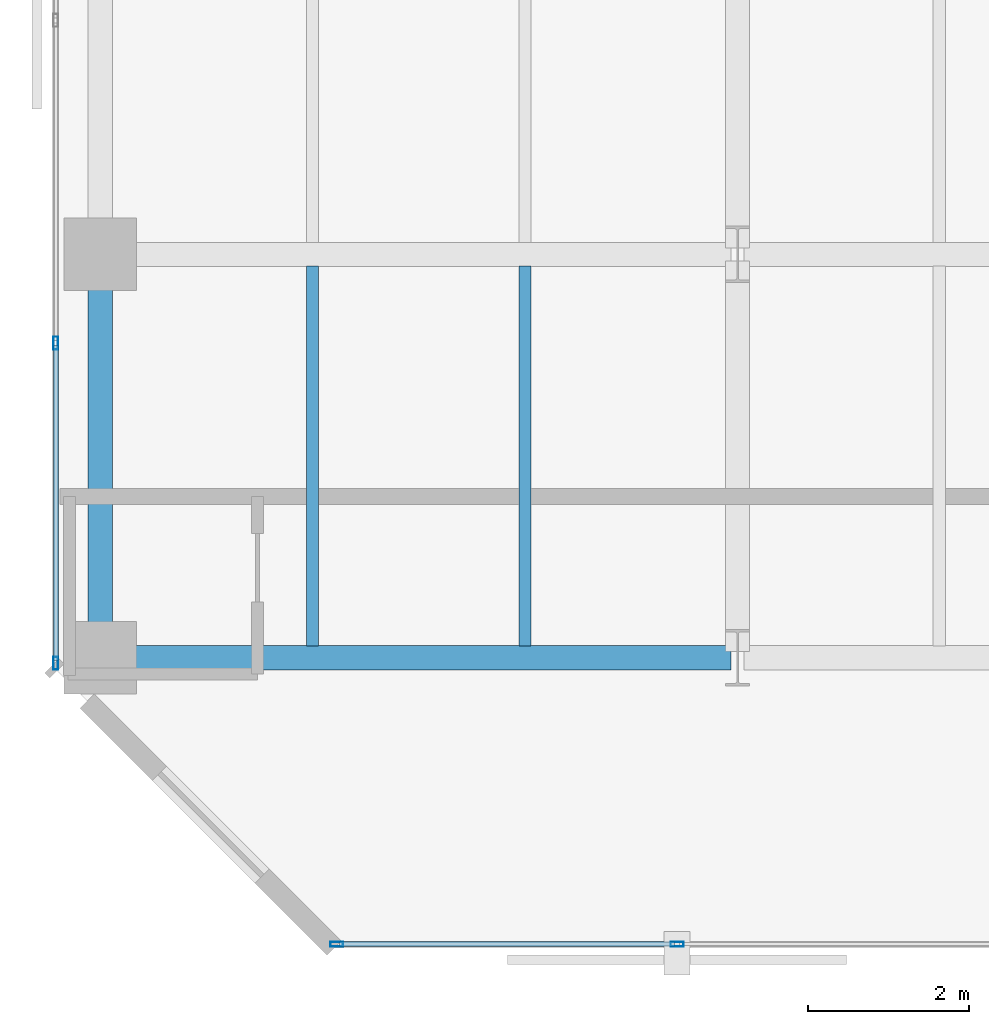
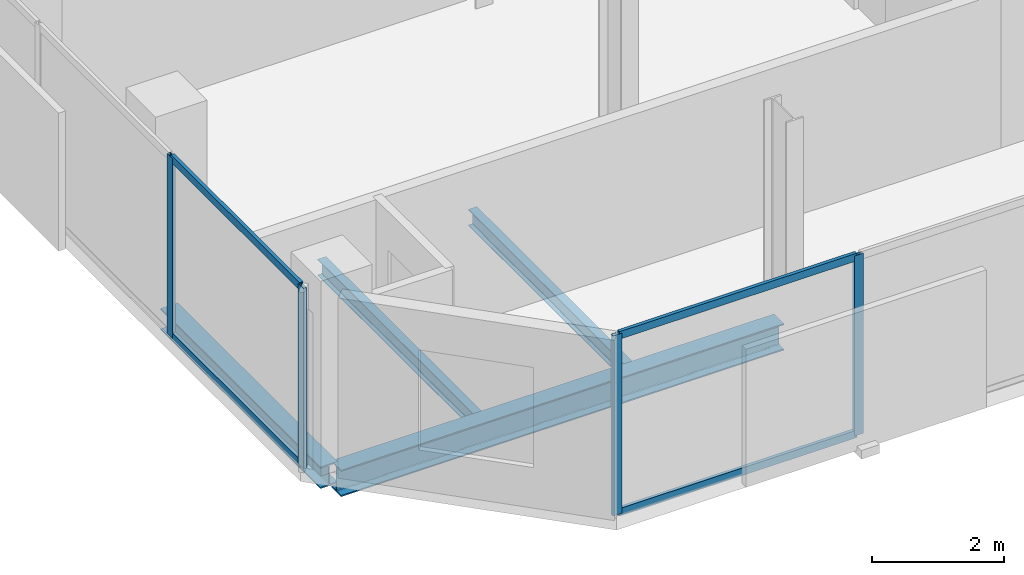
# One storey, part 3 of 33: 8 members, 4 beams, 2 elements without a shape of their own.
"""IFC4 building model written with IfcOpenShell, lengths in metres."""

from ifc_helpers import new_model, si_unit, direction, frame, origin, origin_2d, place, context, subcontext, project, spatial, hollow_rectangle, i_section, extrude, material, layer, layer_set, material_profile, profile_set, type_object, element, aggregate, save


model = new_model("IFC4")

# Units and contexts
model_context = context("Model", 3, precision=1e-05, world=origin(), true_north=direction((0.0, 1.0)))
body_context = subcontext(model_context, "Body", "Model", "MODEL_VIEW")
ifc_project = project(units=[si_unit("LENGTHUNIT", "METRE"), si_unit("AREAUNIT", "SQUARE_METRE"), si_unit("VOLUMEUNIT", "CUBIC_METRE"), si_unit("PLANEANGLEUNIT", "RADIAN"), si_unit("MASSUNIT", "GRAM", prefix="KILO")], contexts=[model_context])

# Site, building, storey
site_placement = place(None, origin())
site = spatial("IfcSite", under=ifc_project, at=site_placement, CompositionType="ELEMENT")
building_placement = place(site_placement, origin())
building = spatial("IfcBuilding", under=site, at=building_placement, Name="Catumbela Crestline Tower", CompositionType="ELEMENT")
storey_placement = place(building_placement, frame((0.0, 0.0, 100.8)))
storey = spatial("IfcBuildingStorey", under=building, at=storey_placement, Name="L25", CompositionType="ELEMENT", Elevation=100.8)

# Beams
ifc_material_1 = material(Name="Structural steel S355J2", Category="steel")
ifc_material_profile_1 = material_profile(ifc_material_1, i_section(OverallWidth=0.3, OverallDepth=0.49, WebThickness=0.012, FlangeThickness=0.023, FilletRadius=0.027, at=origin_2d()), Name="HEA 500")
ifc_profile_set_1 = profile_set([ifc_material_profile_1], Name="Structural steel S355J2")
beam_type_1 = type_object("IfcBeamType", Name="BG-HEA500", PredefinedType="BEAM", material=ifc_profile_set_1)
beam_1_placement = place(storey_placement, frame((0.68, 8.6, -0.505), z_axis=(1.0, 0.0, 0.0), x_axis=(0.0, 1.0, 0.0)))
element("IfcBeam", 1, at=beam_1_placement, inside=storey, type_object=beam_type_1, Name="L25 Beam BM-L25-WEW43", PredefinedType="BEAM", context=body_context, shape_type="SweptSolid", body=[
    extrude(i_section(OverallWidth=0.3, OverallDepth=0.49, WebThickness=0.012, FlangeThickness=0.023, FilletRadius=0.027, at=origin_2d()), origin(), (0.0, 0.0, 1.0), 7.74),
])
ifc_material_profile_2 = material_profile(ifc_material_1, i_section(OverallWidth=0.15, OverallDepth=0.3, WebThickness=0.0071, FlangeThickness=0.0107, FilletRadius=0.015, at=origin_2d()), Name="IPE 300")
ifc_profile_set_2 = profile_set([ifc_material_profile_2], Name="Structural steel S355J2")
beam_type_2 = type_object("IfcBeamType", Name="BJ-IPE300", PredefinedType="JOIST", material=ifc_profile_set_2)
for number, where, z_axis, x_axis, name in (
    (2, (3.233, 8.747, -0.41), (0.0, 1.0, 0.0), (-1.0, 0.0, 0.0), "L25 Joist JS-L25-WG63"),
    (3, (5.867, 8.747, -0.41), (0.0, 1.0, 0.0), (-1.0, 0.0, 0.0), "L25 Joist JS-L25-WG64"),
):
    element("IfcBeam", number, at=place(storey_placement, frame(where, z_axis=z_axis, x_axis=x_axis)), inside=storey, type_object=beam_type_2, Name=name, PredefinedType="JOIST", context=body_context, shape_type="SweptSolid", body=[
        extrude(i_section(OverallWidth=0.15, OverallDepth=0.3, WebThickness=0.0071, FlangeThickness=0.0107, FilletRadius=0.015, at=origin_2d()), origin(), (0.0, 0.0, 1.0), 4.706),
    ])

# Curtain wall, members
ifc_material_2 = material(Name="Aluminium alloy AW-6060-T66", Category="aluminium")
ifc_layer = layer(ifc_material_2, 0.18, Name="Aluminium alloy AW-6060-T66")
ifc_layer_set = layer_set([ifc_layer], Name="Aluminium alloy AW-6060-T66")
curtain_wall_type = type_object("IfcCurtainWallType", Name="CWU-Z2", PredefinedType="USERDEFINED", material=ifc_layer_set)
curtain_wall_1_placement = place(storey_placement, origin())
curtain_wall_1 = element("IfcCurtainWall", 4, at=curtain_wall_1_placement, inside=storey, type_object=curtain_wall_type, Name="L25 Unitised Curtain Wall CW-L25-E0S1", ObjectType="UNITISED", PredefinedType="USERDEFINED")
ifc_material_profile_3 = material_profile(ifc_material_2, hollow_rectangle(XDim=0.06, YDim=0.16, WallThickness=0.004, at=origin_2d()), Name="ALU 160x60x4")
ifc_profile_set_3 = profile_set([ifc_material_profile_3], Name="Aluminium alloy AW-6060-T66")
member_type_1 = type_object("IfcMemberType", Name="MUL-160X60", PredefinedType="MULLION", material=ifc_profile_set_3)
member_1_placement = place(storey_placement, frame((3.5325, 5.05, 0.0), z_axis=(0.0, 0.0, 1.0), x_axis=(0.0, 1.0, 0.0)))
member_1 = element("IfcMember", 5, at=member_1_placement, type_object=member_type_1, Name="CWU-Z2 mullion 1", PredefinedType="MULLION", context=body_context, shape_type="SweptSolid", body=[
    extrude(hollow_rectangle(XDim=0.06, YDim=0.16, WallThickness=0.004, at=origin_2d()), origin(), (0.0, 0.0, 1.0), 3.33),
])
member_2_placement = place(storey_placement, frame((7.75, 5.05, 0.0), z_axis=(0.0, 0.0, 1.0), x_axis=(0.0, 1.0, 0.0)))
member_2 = element("IfcMember", 6, at=member_2_placement, type_object=member_type_1, Name="CWU-Z2 mullion 2", PredefinedType="MULLION", context=body_context, shape_type="SweptSolid", body=[
    extrude(hollow_rectangle(XDim=0.06, YDim=0.16, WallThickness=0.004, at=origin_2d()), origin(), (0.0, 0.0, 1.0), 3.33),
])

curtain_wall_2_placement = place(storey_placement, origin())
curtain_wall_2 = element("IfcCurtainWall", 7, at=curtain_wall_2_placement, inside=storey, type_object=curtain_wall_type, Name="L25 Unitised Curtain Wall CW-L25-E9S1", ObjectType="UNITISED", PredefinedType="USERDEFINED")
member_3_placement = place(storey_placement, frame((0.05, 12.5, 0.0), z_axis=(0.0, 0.0, 1.0), x_axis=(1.0, 0.0, 0.0)))
member_3 = element("IfcMember", 8, at=member_3_placement, type_object=member_type_1, Name="CWU-Z2 mullion 9", PredefinedType="MULLION", context=body_context, shape_type="SweptSolid", body=[
    extrude(hollow_rectangle(XDim=0.06, YDim=0.16, WallThickness=0.004, at=origin_2d()), origin(), (0.0, 0.0, 1.0), 3.33),
])
member_4_placement = place(storey_placement, frame((0.05, 8.5325, 0.0), z_axis=(0.0, 0.0, 1.0), x_axis=(1.0, 0.0, 0.0)))
member_4 = element("IfcMember", 9, at=member_4_placement, type_object=member_type_1, Name="CWU-Z2 mullion 10", PredefinedType="MULLION", context=body_context, shape_type="SweptSolid", body=[
    extrude(hollow_rectangle(XDim=0.06, YDim=0.16, WallThickness=0.004, at=origin_2d()), origin(), (0.0, 0.0, 1.0), 3.33),
])

# Beam
ifc_material_profile_4 = material_profile(ifc_material_1, i_section(OverallWidth=0.3, OverallDepth=0.4, WebThickness=0.0135, FlangeThickness=0.024, FilletRadius=0.027, at=origin_2d()), Name="HEB 400")
ifc_profile_set_4 = profile_set([ifc_material_profile_4], Name="Structural steel S355J2")
beam_type_3 = type_object("IfcBeamType", Name="BS-HEB400", PredefinedType="SPANDREL", material=ifc_profile_set_4)
beam_2_placement = place(storey_placement, frame((0.6, 8.68, -0.46), z_axis=(0.0, 1.0, 0.0), x_axis=(-1.0, 0.0, 0.0)))
element("IfcBeam", 10, at=beam_2_placement, inside=storey, type_object=beam_type_3, Name="L25 Spandrel SP-L25-WNS52", PredefinedType="SPANDREL", context=body_context, shape_type="SweptSolid", body=[
    extrude(i_section(OverallWidth=0.3, OverallDepth=0.4, WebThickness=0.0135, FlangeThickness=0.024, FilletRadius=0.027, at=origin_2d()), origin(), (0.0, 0.0, 1.0), 4.84),
])

# Member
ifc_material_profile_5 = material_profile(ifc_material_2, hollow_rectangle(XDim=0.06, YDim=0.14, WallThickness=0.004, at=origin_2d()), Name="ALU 140x60x4")
ifc_profile_set_5 = profile_set([ifc_material_profile_5], Name="Aluminium alloy AW-6060-T66")
member_type_2 = type_object("IfcMemberType", Name="TRN-140X60", PredefinedType="USERDEFINED", material=ifc_profile_set_5)
member_5_placement = place(storey_placement, frame((3.565, 5.05, 0.03), z_axis=(1.0, 0.0, 0.0), x_axis=(0.0, 1.0, 0.0)))
member_5 = element("IfcMember", 11, at=member_5_placement, type_object=member_type_2, Name="CWU-Z2 transom 1.1", ObjectType="TRANSOM", PredefinedType="USERDEFINED", context=body_context, shape_type="SweptSolid", body=[
    extrude(hollow_rectangle(XDim=0.06, YDim=0.14, WallThickness=0.004, at=origin_2d()), origin(), (0.0, 0.0, 1.0), 4.1525),
])

member_6_placement = place(storey_placement, frame((3.565, 5.05, 3.3), z_axis=(1.0, 0.0, 0.0), x_axis=(0.0, 1.0, 0.0)))
member_6 = element("IfcMember", 12, at=member_6_placement, type_object=member_type_2, Name="CWU-Z2 transom 1.2", ObjectType="TRANSOM", PredefinedType="USERDEFINED", context=body_context, shape_type="SweptSolid", body=[
    extrude(hollow_rectangle(XDim=0.06, YDim=0.14, WallThickness=0.004, at=origin_2d()), origin(), (0.0, 0.0, 1.0), 4.1525),
])

aggregate(curtain_wall_1, [member_1, member_2, member_5, member_6])

member_7_placement = place(storey_placement, frame((0.05, 12.4675, 0.03), z_axis=(0.0, -1.0, 0.0), x_axis=(1.0, 0.0, 0.0)))
member_7 = element("IfcMember", 13, at=member_7_placement, type_object=member_type_2, Name="CWU-Z2 transom 9.1", ObjectType="TRANSOM", PredefinedType="USERDEFINED", context=body_context, shape_type="SweptSolid", body=[
    extrude(hollow_rectangle(XDim=0.06, YDim=0.14, WallThickness=0.004, at=origin_2d()), origin(), (0.0, 0.0, 1.0), 3.9025),
])

member_8_placement = place(storey_placement, frame((0.05, 12.4675, 3.3), z_axis=(0.0, -1.0, 0.0), x_axis=(1.0, 0.0, 0.0)))
member_8 = element("IfcMember", 14, at=member_8_placement, type_object=member_type_2, Name="CWU-Z2 transom 9.2", ObjectType="TRANSOM", PredefinedType="USERDEFINED", context=body_context, shape_type="SweptSolid", body=[
    extrude(hollow_rectangle(XDim=0.06, YDim=0.14, WallThickness=0.004, at=origin_2d()), origin(), (0.0, 0.0, 1.0), 3.9025),
])

aggregate(curtain_wall_2, [member_3, member_4, member_7, member_8])

save(model, "model.ifc")
